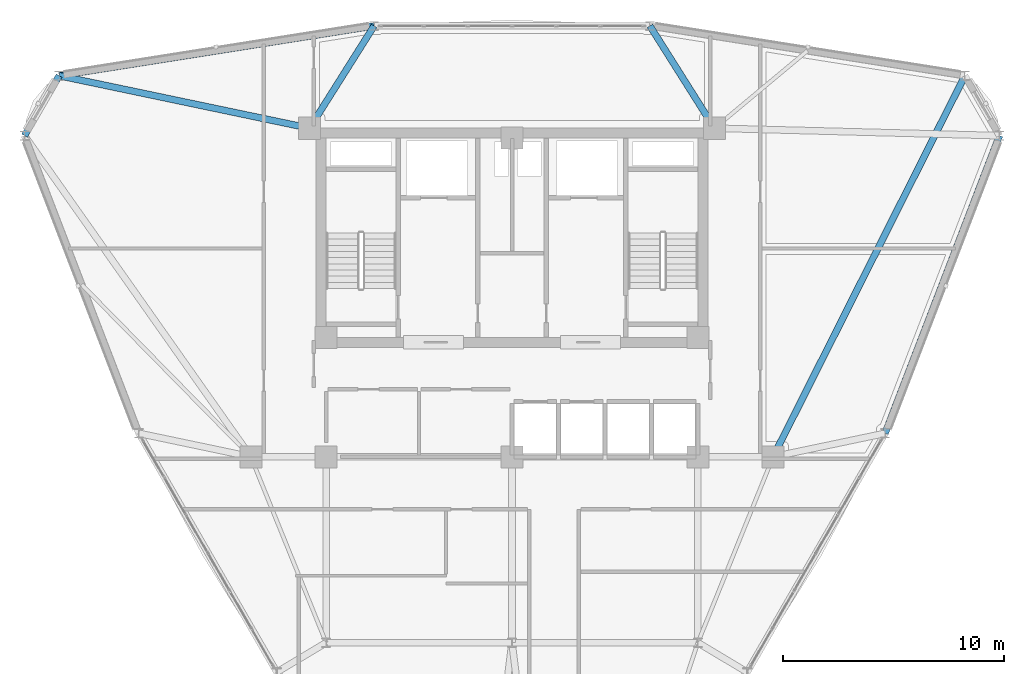
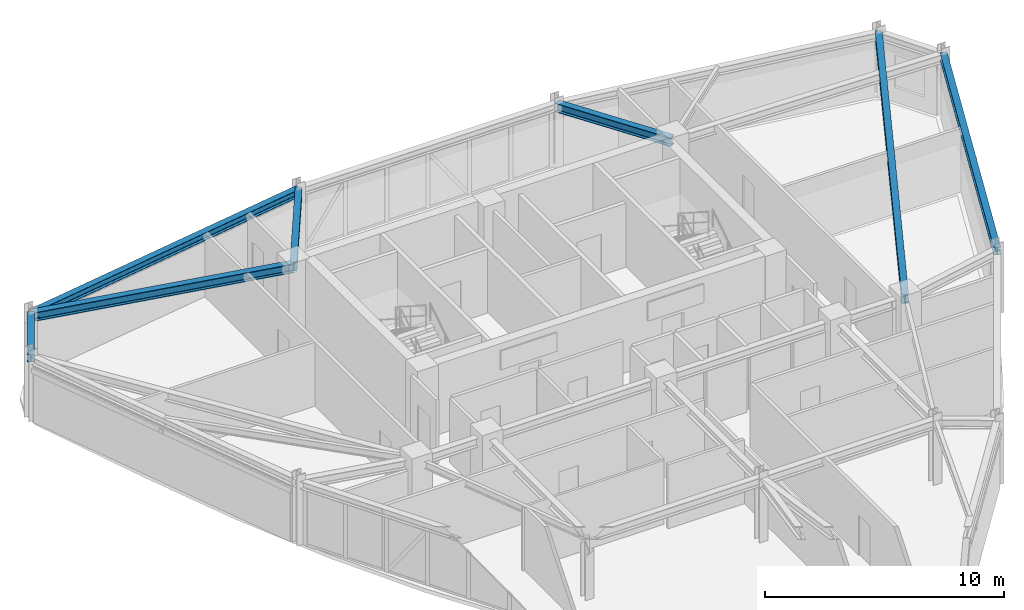
# One storey, part 7 of 14: 7 beams.
"""IFC4 building model written with IfcOpenShell, lengths in metres."""

import ifcopenshell
import ifcopenshell.guid

model = None  # the IFC model being written
_history = None  # IfcOwnerHistory: only IFC2X3 demands one
_inside = {}  # id of a spatial element -> (the spatial element, [elements in it])
_under = {}  # id of a project, library or spatial element -> (it, [spatial elements below it])
_declared = {}  # id of a project -> (the project, [libraries it declares])
_typed = {}  # id of a type object -> (the type object, [elements of that type])
_made_of = {}  # id of a material, layer set ... -> (it, [elements and type objects made of it])


def new_model(schema):
    """Start an empty IFC model of exactly this schema.

    Asked for "IFC4X3", IfcOpenShell would pick the latest addendum, in which some entities
    have other attributes; the version numbers below select the first issue.
    IFC2X3 requires an IfcOwnerHistory on every rooted entity: one is made here for all.
    """
    global model, _history
    if schema == "IFC4X3":
        model = ifcopenshell.file(schema_version=(4, 3, 0, 0))
    else:
        model = ifcopenshell.file(schema=schema)
    _inside.clear()
    _under.clear()
    _declared.clear()
    _typed.clear()
    _made_of.clear()
    _history = None
    if model.schema == "IFC2X3":
        org = make("IfcOrganization", Name="unknown")
        user = make(
            "IfcPersonAndOrganization",
            ThePerson=make("IfcPerson", FamilyName="unknown"),
            TheOrganization=org,
        )
        app = make(
            "IfcApplication",
            ApplicationDeveloper=org,
            Version="unknown",
            ApplicationFullName="unknown",
            ApplicationIdentifier="unknown",
        )
        _history = make(
            "IfcOwnerHistory",
            OwningUser=user,
            OwningApplication=app,
            ChangeAction="ADDED",
            CreationDate=0,
        )
    return model


def make(cls, **values):
    """One entity of the class cls with the attributes given. An attribute that is None is left unset."""
    return model.create_entity(
        cls, **{name: value for name, value in values.items() if value is not None}
    )


def rooted(cls, **values):
    """An entity with a GlobalId (a new one), such as an element, a storey or a relation."""
    return make(cls, GlobalId=ifcopenshell.guid.new(), OwnerHistory=_history, **values)


def si_unit(unit_type, name, prefix=None):
    """IfcSIUnit, for example si_unit("LENGTHUNIT", "METRE", prefix="MILLI")."""
    return make("IfcSIUnit", UnitType=unit_type, Prefix=prefix, Name=name)


def derived_unit(unit_type, elements):
    """IfcDerivedUnit: a product of units, each with its exponent."""
    return make(
        "IfcDerivedUnit",
        Elements=[
            make("IfcDerivedUnitElement", Unit=unit, Exponent=power)
            for unit, power in elements
        ],
        UnitType=unit_type,
    )


def assignment(units):
    """IfcUnitAssignment: the units of a project."""
    return None if units is None else make("IfcUnitAssignment", Units=units)


def point(xyz):
    """IfcCartesianPoint."""
    return None if xyz is None else make("IfcCartesianPoint", Coordinates=xyz)


def direction(xyz):
    """IfcDirection."""
    return None if xyz is None else make("IfcDirection", DirectionRatios=xyz)


def frame(location, z_axis=None, x_axis=None):
    """IfcAxis2Placement3D, a coordinate frame: its origin and axes. An axis left out is left unset."""
    return make(
        "IfcAxis2Placement3D",
        Location=point(location),
        Axis=direction(z_axis),
        RefDirection=direction(x_axis),
    )


def frame_2d(location, x_axis=None):
    """IfcAxis2Placement2D, a coordinate frame in the plane: its origin and x axis."""
    return make(
        "IfcAxis2Placement2D", Location=point(location), RefDirection=direction(x_axis)
    )


def origin():
    """The frame at (0, 0, 0) with its axes left unset."""
    return frame((0.0, 0.0, 0.0))


def origin_2d():
    """The frame at (0, 0) in the plane with its x axis left unset."""
    return frame_2d((0.0, 0.0))


def place(relative_to, where):
    """IfcLocalPlacement: puts the frame where relative to a parent placement (None: the world)."""
    return make(
        "IfcLocalPlacement", PlacementRelTo=relative_to, RelativePlacement=where
    )


def context(
    kind, dimensions, precision=None, world=None, true_north=None, identifier=None
):
    """IfcGeometricRepresentationContext, for example the 3D "Model" context."""
    return make(
        "IfcGeometricRepresentationContext",
        ContextIdentifier=identifier,
        ContextType=kind,
        CoordinateSpaceDimension=dimensions,
        Precision=precision,
        WorldCoordinateSystem=world,
        TrueNorth=true_north,
    )


def subcontext(parent, identifier, kind, view, scale=None):
    """IfcGeometricRepresentationSubContext, for example "Body" below "Model"."""
    return make(
        "IfcGeometricRepresentationSubContext",
        ContextIdentifier=identifier,
        ContextType=kind,
        ParentContext=parent,
        TargetScale=scale,
        TargetView=view,
    )


def project(units=None, contexts=None):
    """IfcProject with its units and contexts."""
    return rooted(
        "IfcProject",
        Name="project",
        RepresentationContexts=contexts,
        UnitsInContext=assignment(units),
    )


def spatial(cls, under=None, at=None, **own):
    """A site, building, storey or space (cls), placed at a placement, below another one or the project."""
    s = rooted(cls, ObjectPlacement=at, **own)
    if under is not None:
        _under.setdefault(under.id(), (under, []))[1].append(s)
    return s


def profile(cls, at=None, kind="AREA", **sizes):
    """A parametric profile (cls). Its sizes go by their IFC names, for example OverallWidth=200.0."""
    return make(cls, ProfileType=kind, Position=at, **sizes)


def i_section(**sizes):
    """IfcIShapeProfileDef."""
    return profile("IfcIShapeProfileDef", **sizes)


def extrude(swept, where, along, depth):
    """IfcExtrudedAreaSolid: the profile swept, set in the frame where, extruded along a direction by depth."""
    return make(
        "IfcExtrudedAreaSolid",
        SweptArea=swept,
        Position=where,
        ExtrudedDirection=direction(along),
        Depth=depth,
    )


def shape(context_of_items, identifier, shape_type, items):
    """IfcShapeRepresentation: the items that make up one representation, for example the "Body"."""
    return make(
        "IfcShapeRepresentation",
        ContextOfItems=context_of_items,
        RepresentationIdentifier=identifier,
        RepresentationType=shape_type,
        Items=items,
    )


def source(mapping_origin, context_of_items, identifier, shape_type, items):
    """IfcRepresentationMap: a shape defined once, which mapped items show again and again."""
    return make(
        "IfcRepresentationMap",
        MappingOrigin=mapping_origin,
        MappedRepresentation=shape(context_of_items, identifier, shape_type, items),
    )


def transform(
    local_origin,
    x_axis=None,
    y_axis=None,
    z_axis=None,
    scale=None,
    scale2=None,
    scale3=None,
    uniform=True,
):
    """IfcCartesianTransformationOperator3D, or its non-uniform kind. x_axis, y_axis, z_axis: its Axis1, 2, 3."""
    if uniform:
        return make(
            "IfcCartesianTransformationOperator3D",
            Axis1=direction(x_axis),
            Axis2=direction(y_axis),
            LocalOrigin=point(local_origin),
            Scale=scale,
            Axis3=direction(z_axis),
        )
    return make(
        "IfcCartesianTransformationOperator3DnonUniform",
        Axis1=direction(x_axis),
        Axis2=direction(y_axis),
        LocalOrigin=point(local_origin),
        Scale=scale,
        Axis3=direction(z_axis),
        Scale2=scale2,
        Scale3=scale3,
    )


def mapped(mapping_source, mapping_target):
    """IfcMappedItem: shows the shape of a source again, moved by a transform."""
    return make(
        "IfcMappedItem", MappingSource=mapping_source, MappingTarget=mapping_target
    )


def material(Name=None, Category=None):
    """IfcMaterial."""
    return make("IfcMaterial", Name=Name, Category=Category)


def material_profile(
    of_material, cross_section, Name=None, Category=None, Priority=None
):
    """IfcMaterialProfile: a cross section and its material."""
    return make(
        "IfcMaterialProfile",
        Name=Name,
        Material=of_material,
        Profile=cross_section,
        Priority=Priority,
        Category=Category,
    )


def profile_set(profiles, Name=None, composite=None):
    """IfcMaterialProfileSet."""
    return make(
        "IfcMaterialProfileSet",
        Name=Name,
        MaterialProfiles=profiles,
        CompositeProfile=composite,
    )


def made_of(thing, what):
    """Note that an element or type object is made of a material, layer set ...; save() writes the relation."""
    if what is not None:
        _made_of.setdefault(what.id(), (what, []))[1].append(thing)
    return thing


def type_object(cls, material=None, **own):
    """A type object (cls), such as IfcWallType, which elements share."""
    return made_of(rooted(cls, **own), material)


def element(
    cls,
    number,
    at=None,
    inside=None,
    cuts=None,
    type_object=None,
    material=None,
    context=None,
    identifier="Body",
    shape_type=None,
    held_by="IfcProductDefinitionShape",
    body=None,
    shapes=None,
    **own,
):
    """One element of the class cls, such as IfcWall. Its Tag is "e" and its number.

    at: its placement. inside: the storey or other place that contains it. cuts: it is an
    opening in that element (IfcRelVoidsElement). A single representation is given by context,
    identifier, shape_type and body (its items); several are given by shapes. held_by: the class
    of the entity that holds the representations. save() writes the other relations.
    """
    e = rooted(cls, Tag="e%d" % number, ObjectPlacement=at, **own)
    if body is not None:
        shapes = [shape(context, identifier, shape_type, body)]
    if shapes is not None:
        e.Representation = make(held_by, Representations=shapes)
    if inside is not None:
        _inside.setdefault(inside.id(), (inside, []))[1].append(e)
    if cuts is not None:
        rooted(
            "IfcRelVoidsElement", RelatingBuildingElement=cuts, RelatedOpeningElement=e
        )
    if type_object is not None:
        _typed.setdefault(type_object.id(), (type_object, []))[1].append(e)
    return made_of(e, material)


def aggregate(whole, parts):
    """IfcRelAggregates: a whole, such as a stair, and the parts it consists of."""
    return rooted("IfcRelAggregates", RelatingObject=whole, RelatedObjects=parts)


def save(model, path):
    """Write the relations noted so far, then the file.

    IfcRelAggregates (storeys below a building ...), IfcRelContainedInSpatialStructure (elements
    in a storey), IfcRelDefinesByType, IfcRelAssociatesMaterial and IfcRelDeclares: one each for
    every whole, place, type object, material and project.
    """
    for whole, parts in _under.values():
        aggregate(whole, parts)
    for where, things in _inside.values():
        rooted(
            "IfcRelContainedInSpatialStructure",
            RelatedElements=things,
            RelatingStructure=where,
        )
    for kind, things in _typed.values():
        rooted("IfcRelDefinesByType", RelatedObjects=things, RelatingType=kind)
    for what, things in _made_of.values():
        rooted("IfcRelAssociatesMaterial", RelatedObjects=things, RelatingMaterial=what)
    for by, libraries in _declared.values():
        rooted("IfcRelDeclares", RelatingContext=by, RelatedDefinitions=libraries)
    model.write(path)


model = new_model("IFC4")

# Units and contexts
model_context = context("Model", 3, precision=1e-05, world=origin(), true_north=direction((0.0, 1.0)))
body_context = subcontext(model_context, "Body", "Model", "MODEL_VIEW")
ifc_project = project(units=[si_unit("LENGTHUNIT", "METRE"), si_unit("AREAUNIT", "SQUARE_METRE"), si_unit("VOLUMEUNIT", "CUBIC_METRE"), si_unit("PLANEANGLEUNIT", "RADIAN"), si_unit("MASSUNIT", "GRAM", prefix="KILO"), derived_unit("THERMALTRANSMITTANCEUNIT", [(si_unit("POWERUNIT", "WATT"), 1), (si_unit("LENGTHUNIT", "METRE"), -2), (si_unit("THERMODYNAMICTEMPERATUREUNIT", "KELVIN"), -1)])], contexts=[model_context])

# Site, building, storey
site_placement = place(None, origin())
site = spatial("IfcSite", under=ifc_project, at=site_placement, CompositionType="ELEMENT")
building_placement = place(site_placement, origin())
building = spatial("IfcBuilding", under=site, at=building_placement, Name="Korsvarv Bourse and Concert Hall", CompositionType="ELEMENT")
storey_placement = place(building_placement, frame((0.0, 0.0, 197.39990234375)))
storey = spatial("IfcBuildingStorey", under=building, at=storey_placement, Name="L51", CompositionType="ELEMENT", Elevation=197.39990234375)

# Beams
ifc_material = material(Name="Steel S355", Category="steel")
ifc_material_profile_1 = material_profile(ifc_material, i_section(OverallWidth=0.300048828125, OverallDepth=0.389892578125, WebThickness=0.010986328125, FlangeThickness=0.01904296875, FilletRadius=0.02099609375, at=origin_2d()), Name="HEA 400")
ifc_profile_set_1 = profile_set([ifc_material_profile_1], Name="Steel S355")
beam_type_1 = type_object("IfcBeamType", Name="BM-HEA400", PredefinedType="BEAM", material=ifc_profile_set_1)
shared_shape_1 = source(origin(), body_context, "Body", "SweptSolid", [
    extrude(i_section(OverallWidth=0.300048828125, OverallDepth=0.389892578125, WebThickness=0.010986328125, FlangeThickness=0.01904296875, FilletRadius=0.02099609375, at=origin_2d()), origin(), (0.0, 0.0, 1.0), 3.12939453125),
])
beam_1_placement = place(storey_placement, frame((15.534423828125, 49.62255859375, 3.065185546875), z_axis=(-0.499990325971, -0.866030989016, 0.0), x_axis=(0.866030989016, -0.499990325971, 0.0)))
element("IfcBeam", 1, at=beam_1_placement, inside=storey, type_object=beam_type_1, Name="L51 beam B-11", PredefinedType="BEAM", context=body_context, shape_type="MappedRepresentation", body=[
    mapped(shared_shape_1, transform((0.0, 0.0, 0.0), scale=1.0)),
])
shared_shape_2 = source(origin(), body_context, "Body", "SweptSolid", [
    extrude(i_section(OverallWidth=0.300048828125, OverallDepth=0.389892578125, WebThickness=0.010986328125, FlangeThickness=0.01904296875, FilletRadius=0.02099609375, at=origin_2d()), origin(), (0.0, 0.0, 1.0), 14.4091796875),
])
beam_2_placement = place(storey_placement, frame((29.766845703125, 51.871826171875, 3.065185546875), z_axis=(-0.987741112202, -0.156100913728, 0.0), x_axis=(0.156100913728, -0.987741112202, 0.0)))
element("IfcBeam", 2, at=beam_2_placement, inside=storey, type_object=beam_type_1, Name="L51 beam B-11", PredefinedType="BEAM", context=body_context, shape_type="MappedRepresentation", body=[
    mapped(shared_shape_2, transform((0.0, 0.0, 0.0), scale=1.0)),
])
shared_shape_3 = source(origin(), body_context, "Body", "SweptSolid", [
    extrude(i_section(OverallWidth=0.300048828125, OverallDepth=0.389892578125, WebThickness=0.010986328125, FlangeThickness=0.01904296875, FilletRadius=0.02099609375, at=origin_2d()), origin(), (0.0, 0.0, 1.0), 14.408935546875),
])
beam_3_placement = place(storey_placement, frame((52.86181640625, 33.462158203125, 3.065185546875), z_axis=(0.35869521437, 0.933454735479, 0.0), x_axis=(-0.933454735479, 0.35869521437, 0.0)))
element("IfcBeam", 3, at=beam_3_placement, inside=storey, type_object=beam_type_1, Name="L51 beam B-11", PredefinedType="BEAM", context=body_context, shape_type="MappedRepresentation", body=[
    mapped(shared_shape_3, transform((0.0, 0.0, 0.0), scale=1.0)),
])
ifc_material_profile_2 = material_profile(ifc_material, i_section(OverallWidth=0.300048828125, OverallDepth=0.449951171875, WebThickness=0.013916015625, FlangeThickness=0.02587890625, FilletRadius=0.02099609375, at=origin_2d()), Name="HEB 450")
ifc_profile_set_2 = profile_set([ifc_material_profile_2], Name="Steel S355")
beam_type_2 = type_object("IfcBeamType", Name="BM-HEB450", PredefinedType="SPANDREL", material=ifc_profile_set_2)
shared_shape_4 = source(origin(), body_context, "Body", "SweptSolid", [
    extrude(i_section(OverallWidth=0.300048828125, OverallDepth=0.449951171875, WebThickness=0.013916015625, FlangeThickness=0.02587890625, FilletRadius=0.02099609375, at=origin_2d()), origin(), (0.0, 0.0, 1.0), 19.27978515625),
])
beam_4_placement = place(storey_placement, frame((56.465576171875, 49.62255859375, 3.03515625), z_axis=(-0.449461133665, -0.893299887678, 0.0), x_axis=(0.893299887678, -0.449461133665, 0.0)))
element("IfcBeam", 4, at=beam_4_placement, inside=storey, type_object=beam_type_2, Name="L51 beam B-08", PredefinedType="SPANDREL", context=body_context, shape_type="MappedRepresentation", body=[
    mapped(shared_shape_4, transform((0.0, 0.0, 0.0), scale=1.0)),
])
shared_shape_5 = source(origin(), body_context, "Body", "SweptSolid", [
    extrude(i_section(OverallWidth=0.300048828125, OverallDepth=0.449951171875, WebThickness=0.013916015625, FlangeThickness=0.02587890625, FilletRadius=0.02099609375, at=origin_2d()), origin(), (0.0, 0.0, 1.0), 5.46533203125),
])
for number, where, z_axis, x_axis, name in (
    (5, (42.233154296875, 51.871826171875, 3.03515625), (0.533692109553, -0.845678858788, 0.0), (0.845678858788, 0.533692109553, 0.0), "L51 beam B-08"),
    (6, (29.766845703125, 51.871826171875, 3.03515625), (-0.533692109553, -0.845678858788, 0.0), (0.845678858788, -0.533692109553, 0.0), "L51 beam B-08"),
):
    element("IfcBeam", number, at=place(storey_placement, frame(where, z_axis=z_axis, x_axis=x_axis)), inside=storey, type_object=beam_type_2, Name=name, PredefinedType="SPANDREL", context=body_context, shape_type="MappedRepresentation", body=[
        mapped(shared_shape_5, transform((0.0, 0.0, 0.0), scale=1.0)),
    ])
shared_shape_6 = source(origin(), body_context, "Body", "SweptSolid", [
    extrude(i_section(OverallWidth=0.300048828125, OverallDepth=0.449951171875, WebThickness=0.013916015625, FlangeThickness=0.02587890625, FilletRadius=0.02099609375, at=origin_2d()), origin(), (0.0, 0.0, 1.0), 11.561767578125),
])
beam_5_placement = place(storey_placement, frame((15.534423828125, 49.62255859375, 3.03515625), z_axis=(0.978718386219, -0.20520799321, 0.0), x_axis=(0.20520799321, 0.978718386219, 0.0)))
element("IfcBeam", 7, at=beam_5_placement, inside=storey, type_object=beam_type_2, Name="L51 beam B-08", PredefinedType="SPANDREL", context=body_context, shape_type="MappedRepresentation", body=[
    mapped(shared_shape_6, transform((0.0, 0.0, 0.0), scale=1.0)),
])

save(model, "model.ifc")
